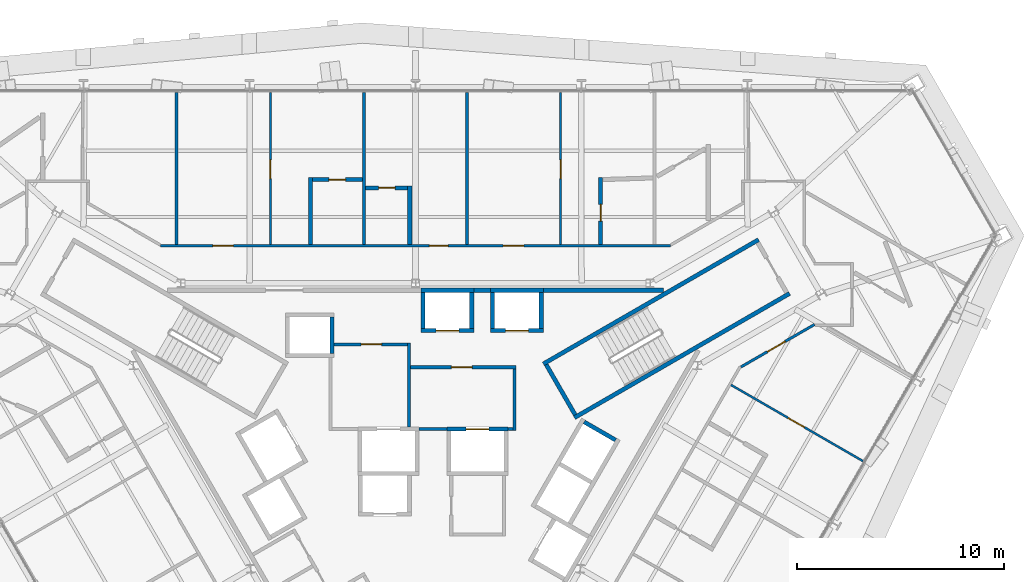
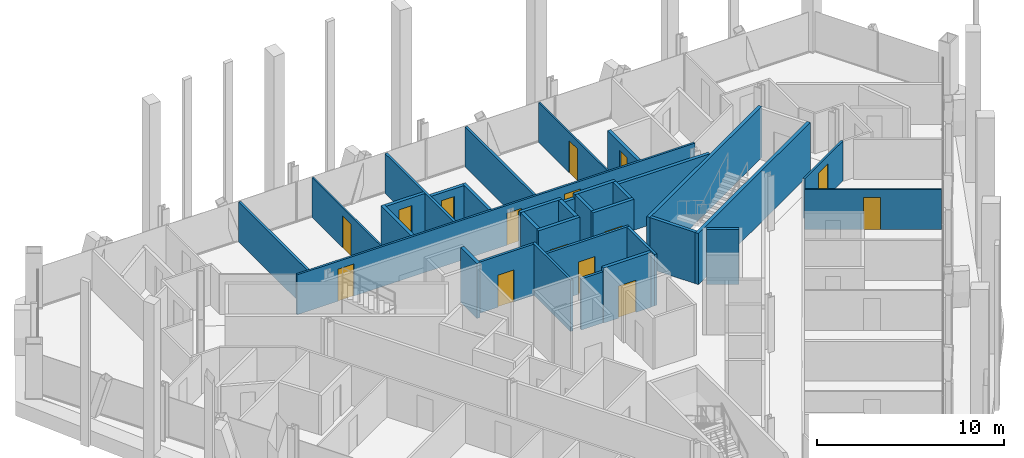
# One storey, part 13 of 16: 35 walls, 15 doors, 15 openings.
"""IFC4 building model written with IfcOpenShell, lengths in metres."""

from ifc_helpers import new_model, si_unit, direction, frame, frame_2d, origin, place, context, subcontext, project, spatial, rectangle, extrude, material, layer, layer_set, type_object, element, fill, save


model = new_model("IFC4")

# Units and contexts
model_context = context("Model", 3, precision=1e-05, world=origin(), true_north=direction((0.0, 1.0)))
body_context = subcontext(model_context, "Body", "Model", "MODEL_VIEW")
ifc_project = project(units=[si_unit("LENGTHUNIT", "METRE"), si_unit("AREAUNIT", "SQUARE_METRE"), si_unit("VOLUMEUNIT", "CUBIC_METRE"), si_unit("PLANEANGLEUNIT", "RADIAN"), si_unit("MASSUNIT", "GRAM", prefix="KILO")], contexts=[model_context])

# Site, building, storey
site_placement = place(None, origin())
site = spatial("IfcSite", under=ifc_project, at=site_placement, CompositionType="ELEMENT")
building_placement = place(site_placement, origin())
building = spatial("IfcBuilding", under=site, at=building_placement, Name="Verrane Prism Tower", CompositionType="ELEMENT")
storey_placement = place(building_placement, frame((0.0, 0.0, 103.60009765625)))
storey = spatial("IfcBuildingStorey", under=building, at=storey_placement, Name="L24", CompositionType="ELEMENT", Elevation=103.60009765625)

# Walls
ifc_material_1 = material(Name="Gypsum board partition", Category="other")
ifc_layer_1 = layer(ifc_material_1, 0.199951171875)
ifc_layer_set_1 = layer_set([ifc_layer_1], Name="CW-200 core boundary wall 2 h")
wall_type_1 = type_object("IfcWallType", Name="CW-200 core boundary wall 2 h", PredefinedType="PARTITIONING", material=ifc_layer_set_1)
wall_1_placement = place(storey_placement, frame((2.81689453125, 8.860107421875, 0.0), z_axis=(0.0, 0.0, 1.0), x_axis=(1.0, 0.0, 0.0)))
element("IfcWall", 1, at=wall_1_placement, inside=storey, type_object=wall_type_1, Name="Core boundary wall CW3-004", PredefinedType="PARTITIONING", context=body_context, shape_type="SweptSolid", body=[
    extrude(rectangle(XDim=0.80615234375, YDim=0.199951171875, at=frame_2d((0.403076171875, 0.0))), origin(), (0.0, 0.0, 1.0), 3.349853515625),
])
wall_2_placement = place(storey_placement, frame((6.177001953125, 8.860107421875, 0.0), z_axis=(0.0, 0.0, 1.0), x_axis=(1.0, 0.0, 0.0)))
element("IfcWall", 2, at=wall_2_placement, inside=storey, type_object=wall_type_1, Name="Core boundary wall CW3-006", PredefinedType="PARTITIONING", context=body_context, shape_type="SweptSolid", body=[
    extrude(rectangle(XDim=5.81396484375, YDim=0.199951171875, at=frame_2d((2.906982421875, 0.0))), origin(), (0.0, 0.0, 1.0), 3.349853515625),
])
ifc_material_2 = material(Name="Concrete C40/50", Category="concrete")
ifc_layer_2 = layer(ifc_material_2, 0.199951171875)
ifc_layer_set_2 = layer_set([ifc_layer_2], Name="CW-200 stair core wall concrete C40/50 3 h")
wall_type_2 = type_object("IfcWallType", Name="CW-200 stair core wall concrete C40/50 3 h", PredefinedType="PARTITIONING", material=ifc_layer_set_2)
for number, where, z_axis, x_axis, name in (
    (3, (6.17822265625, 5.299072265625, 0.0), (0.0, 0.0, 1.0), (0.866026010844, 0.49999894854, 0.0), "Stair 1 enclosure wall"),
    (4, (7.67822265625, 2.700927734375, 0.0), (0.0, 0.0, 1.0), (0.866026010844, 0.49999894854, 0.0), "Stair 1 enclosure wall"),
):
    element("IfcWall", number, at=place(storey_placement, frame(where, z_axis=z_axis, x_axis=x_axis)), inside=storey, type_object=wall_type_2, Name=name, PredefinedType="PARTITIONING", context=body_context, shape_type="SweptSolid", body=[
        extrude(rectangle(XDim=12.0, YDim=0.199951171875, at=frame_2d((6.0, 0.0))), origin(), (0.0, 0.0, 1.0), 3.349853515625),
    ])
wall_3_placement = place(storey_placement, frame((7.71484375, 2.837646484375, 0.0), z_axis=(0.0, 0.0, 1.0), x_axis=(-0.500049511043, 0.865996816683, 0.0)))
element("IfcWall", 5, at=wall_3_placement, inside=storey, type_object=wall_type_2, Name="Stair 1 enclosure wall", PredefinedType="PARTITIONING", context=body_context, shape_type="SweptSolid", body=[
    extrude(rectangle(XDim=2.800048828125, YDim=0.199951171875, at=frame_2d((1.39990234375, 0.0))), origin(), (0.0, 0.0, 1.0), 3.349853515625),
])

# Wall, opening, door
ifc_material_3 = material(Name="Gypsum board shaft wall assembly", Category="other")
ifc_layer_3 = layer(ifc_material_3, 0.199951171875)
ifc_layer_set_3 = layer_set([ifc_layer_3], Name="HW-200 lift shaft wall 2 h")
wall_type_3 = type_object("IfcWallType", Name="HW-200 lift shaft wall 2 h", PredefinedType="PARTITIONING", material=ifc_layer_set_3)
wall_4_placement = place(storey_placement, frame((1.52490234375, 2.14990234375, 0.0), z_axis=(0.0, 0.0, 1.0), x_axis=(1.0, 0.0, 0.0)))
wall_4 = element("IfcWall", 6, at=wall_4_placement, inside=storey, type_object=wall_type_3, Name="Lift shaft wall", PredefinedType="PARTITIONING", context=body_context, shape_type="SweptSolid", body=[
    extrude(rectangle(XDim=2.9501953125, YDim=0.199951171875, at=frame_2d((1.47509765625, 0.0))), origin(), (0.0, 0.0, 1.0), 3.599853515625),
])
opening_1_placement = place(wall_4_placement, frame((0.925048828125, 0.0, 0.0)))
opening_1 = element("IfcOpeningElement", 7, at=opening_1_placement, cuts=wall_4, Name="Opening D24509", PredefinedType="OPENING", context=body_context, shape_type="SweptSolid", body=[
    extrude(rectangle(XDim=1.10009765625, YDim=2.10009765625, at=frame_2d((0.550048828125, 1.050048828125))), frame((0.0, 0.10986328125, 0.0), z_axis=(0.0, -1.0, 0.0), x_axis=(1.0, 0.0, 0.0)), (0.0, 0.0, 1.0), 0.219970703125),
])
ifc_material_4 = material(Name="Stainless steel sliding landing door", Category="steel")
door_type_1 = type_object("IfcDoorType", Name="LD-1100x2100 lift landing door FD90 sliding", OperationType="NOTDEFINED", PredefinedType="DOOR", material=ifc_material_4)
door_1_placement = place(opening_1_placement, origin())
door_1 = element("IfcDoor", 8, at=door_1_placement, inside=storey, type_object=door_type_1, Name="Fire service lift 2 landing door", OperationType="SLIDING_TO_RIGHT", OverallHeight=2.10009765625, OverallWidth=1.10009765625, PredefinedType="DOOR", context=body_context, shape_type="SweptSolid", body=[
    extrude(rectangle(XDim=1.10009765625, YDim=2.10009765625, at=frame_2d((0.550048828125, 1.050048828125))), frame((0.0, 0.02490234375, 0.0), z_axis=(0.0, -1.0, 0.0), x_axis=(1.0, 0.0, 0.0)), (0.0, 0.0, 1.0), 0.050048828125),
])
fill(opening_1, door_1)

wall_5_placement = place(storey_placement, frame((0.264892578125, 6.909912109375, 0.0), z_axis=(0.0, 0.0, 1.0), x_axis=(1.0, 0.0, 0.0)))
wall_5 = element("IfcWall", 9, at=wall_5_placement, inside=storey, type_object=wall_type_3, Name="Lift shaft wall", PredefinedType="PARTITIONING", context=body_context, shape_type="SweptSolid", body=[
    extrude(rectangle(XDim=2.550048828125, YDim=0.199951171875, at=frame_2d((1.27490234375, 0.0))), origin(), (0.0, 0.0, 1.0), 3.599853515625),
])
opening_2_placement = place(wall_5_placement, frame((0.72509765625, 0.0, 0.0)))
opening_2 = element("IfcOpeningElement", 10, at=opening_2_placement, cuts=wall_5, Name="Opening D24503", PredefinedType="OPENING", context=body_context, shape_type="SweptSolid", body=[
    extrude(rectangle(XDim=1.10009765625, YDim=2.10009765625, at=frame_2d((0.550048828125, 1.050048828125))), frame((0.0, 0.10986328125, 0.0), z_axis=(0.0, -1.0, 0.0), x_axis=(1.0, 0.0, 0.0)), (0.0, 0.0, 1.0), 0.219970703125),
])
door_2_placement = place(opening_2_placement, origin())
door_2 = element("IfcDoor", 11, at=door_2_placement, inside=storey, type_object=door_type_1, Name="Bank A lift 1 landing door", OperationType="SLIDING_TO_LEFT", OverallHeight=2.10009765625, OverallWidth=1.10009765625, PredefinedType="DOOR", context=body_context, shape_type="SweptSolid", body=[
    extrude(rectangle(XDim=1.10009765625, YDim=2.10009765625, at=frame_2d((0.550048828125, 1.050048828125))), frame((0.0, 0.02490234375, 0.0), z_axis=(0.0, -1.0, 0.0), x_axis=(1.0, 0.0, 0.0)), (0.0, 0.0, 1.0), 0.050048828125),
])
fill(opening_2, door_2)

wall_6_placement = place(storey_placement, frame((3.625, 6.909912109375, 0.0), z_axis=(0.0, 0.0, 1.0), x_axis=(1.0, 0.0, 0.0)))
wall_6 = element("IfcWall", 12, at=wall_6_placement, inside=storey, type_object=wall_type_3, Name="Lift shaft wall", PredefinedType="PARTITIONING", context=body_context, shape_type="SweptSolid", body=[
    extrude(rectangle(XDim=2.550048828125, YDim=0.199951171875, at=frame_2d((1.27490234375, 0.0))), origin(), (0.0, 0.0, 1.0), 3.599853515625),
])
opening_3_placement = place(wall_6_placement, frame((0.72509765625, 0.0, 0.0)))
opening_3 = element("IfcOpeningElement", 13, at=opening_3_placement, cuts=wall_6, Name="Opening D24505", PredefinedType="OPENING", context=body_context, shape_type="SweptSolid", body=[
    extrude(rectangle(XDim=1.10009765625, YDim=2.10009765625, at=frame_2d((0.550048828125, 1.050048828125))), frame((0.0, 0.10986328125, 0.0), z_axis=(0.0, -1.0, 0.0), x_axis=(1.0, 0.0, 0.0)), (0.0, 0.0, 1.0), 0.219970703125),
])
door_3_placement = place(opening_3_placement, origin())
door_3 = element("IfcDoor", 14, at=door_3_placement, inside=storey, type_object=door_type_1, Name="Bank A lift 3 landing door", OperationType="SLIDING_TO_LEFT", OverallHeight=2.10009765625, OverallWidth=1.10009765625, PredefinedType="DOOR", context=body_context, shape_type="SweptSolid", body=[
    extrude(rectangle(XDim=1.10009765625, YDim=2.10009765625, at=frame_2d((0.550048828125, 1.050048828125))), frame((0.0, 0.02490234375, 0.0), z_axis=(0.0, -1.0, 0.0), x_axis=(1.0, 0.0, 0.0)), (0.0, 0.0, 1.0), 0.050048828125),
])
fill(opening_3, door_3)

# Walls
for number, where, z_axis, x_axis, name in (
    (15, (0.264892578125, 8.860107421875, 0.0), (0.0, 0.0, 1.0), (1.0, 0.0, 0.0), "Lift shaft wall"),
    (16, (3.625, 8.860107421875, 0.0), (0.0, 0.0, 1.0), (1.0, 0.0, 0.0), "Lift shaft wall"),
):
    element("IfcWall", number, at=place(storey_placement, frame(where, z_axis=z_axis, x_axis=x_axis)), inside=storey, type_object=wall_type_3, Name=name, PredefinedType="PARTITIONING", context=body_context, shape_type="SweptSolid", body=[
        extrude(rectangle(XDim=2.550048828125, YDim=0.199951171875, at=frame_2d((1.27490234375, 0.0))), origin(), (0.0, 0.0, 1.0), 3.599853515625),
    ])
for number, where, z_axis, x_axis, name in (
    (17, (6.074951171875, 7.010009765625, 0.0), (0.0, 0.0, 1.0), (0.0, 1.0, 0.0), "Lift shaft wall"),
    (18, (3.72509765625, 7.010009765625, 0.0), (0.0, 0.0, 1.0), (0.0, 1.0, 0.0), "Lift shaft wall"),
    (19, (2.715087890625, 7.010009765625, 0.0), (0.0, 0.0, 1.0), (0.0, 1.0, 0.0), "Lift shaft wall"),
    (20, (0.364990234375, 7.010009765625, 0.0), (0.0, 0.0, 1.0), (0.0, 1.0, 0.0), "Lift shaft wall"),
    (21, (-4.034912109375, 5.81005859375, 0.0), (0.0, 0.0, 1.0), (0.0, 1.0, 0.0), "Lift shaft wall"),
):
    element("IfcWall", number, at=place(storey_placement, frame(where, z_axis=z_axis, x_axis=x_axis)), inside=storey, type_object=wall_type_3, Name=name, PredefinedType="PARTITIONING", context=body_context, shape_type="SweptSolid", body=[
        extrude(rectangle(XDim=1.75, YDim=0.199951171875, at=frame_2d((0.875, 0.0))), origin(), (0.0, 0.0, 1.0), 3.599853515625),
    ])
wall_7_placement = place(storey_placement, frame((9.66455078125, 1.61962890625, 0.0), z_axis=(0.0, 0.0, 1.0), x_axis=(-0.866002029911, 0.500040482552, 0.0)))
element("IfcWall", 22, at=wall_7_placement, inside=storey, type_object=wall_type_3, Name="Lift shaft wall", PredefinedType="PARTITIONING", context=body_context, shape_type="SweptSolid", body=[
    extrude(rectangle(XDim=1.749755859375, YDim=0.199951171875, at=frame_2d((0.875, 0.0))), origin(), (0.0, 0.0, 1.0), 3.599853515625),
])

# Wall, opening, door
ifc_material_5 = material(Name="Gypsum board partition", Category="other")
ifc_layer_4 = layer(ifc_material_5, 0.14990234375)
ifc_layer_set_4 = layer_set([ifc_layer_4], Name="LF-150 firefighting lobby wall 1 h")
wall_type_4 = type_object("IfcWallType", Name="LF-150 firefighting lobby wall 1 h", PredefinedType="PARTITIONING", material=ifc_layer_set_4)
wall_8_placement = place(storey_placement, frame((-3.93310546875, 6.239990234375, 0.0), z_axis=(0.0, 0.0, 1.0), x_axis=(1.0, 0.0, 0.0)))
wall_8 = element("IfcWall", 23, at=wall_8_placement, inside=storey, type_object=wall_type_4, Name="Firefighting lobby wall LF1-003", PredefinedType="PARTITIONING", context=body_context, shape_type="SweptSolid", body=[
    extrude(rectangle(XDim=3.5380859375, YDim=0.14990234375, at=frame_2d((1.76904296875, 0.0))), origin(), (0.0, 0.0, 1.0), 3.349853515625),
])
opening_4_placement = place(wall_8_placement, frame((1.300048828125, 0.0, 0.0)))
opening_4 = element("IfcOpeningElement", 24, at=opening_4_placement, cuts=wall_8, Name="Opening D24515", PredefinedType="OPENING", context=body_context, shape_type="SweptSolid", body=[
    extrude(rectangle(XDim=1.0, YDim=2.10009765625, at=frame_2d((0.5, 1.050048828125))), frame((0.0, 0.0849609375, 0.0), z_axis=(0.0, -1.0, 0.0), x_axis=(1.0, 0.0, 0.0)), (0.0, 0.0, 1.0), 0.169921875),
])
ifc_material_6 = material(Name="Timber veneered door leaf", Category="wood")
door_type_2 = type_object("IfcDoorType", Name="DR-1000x2100 FD60 single leaf firefighting lobby", OperationType="NOTDEFINED", PredefinedType="DOOR", material=ifc_material_6)
door_4_placement = place(opening_4_placement, origin())
door_4 = element("IfcDoor", 25, at=door_4_placement, inside=storey, type_object=door_type_2, Name="Firefighting lobby door D24515", OperationType="SINGLE_SWING_LEFT", OverallHeight=2.10009765625, OverallWidth=1.0, PredefinedType="DOOR", context=body_context, shape_type="SweptSolid", body=[
    extrude(rectangle(XDim=1.0, YDim=2.10009765625, at=frame_2d((0.5, 1.050048828125))), frame((0.0, 0.02490234375, 0.0), z_axis=(0.0, -1.0, 0.0), x_axis=(1.0, 0.0, 0.0)), (0.0, 0.0, 1.0), 0.050048828125),
])
fill(opening_4, door_4)

# Wall
wall_9_placement = place(storey_placement, frame((-0.320068359375, 2.251953125, 0.0), z_axis=(0.0, 0.0, 1.0), x_axis=(0.0, 1.0, 0.0)))
element("IfcWall", 26, at=wall_9_placement, inside=storey, type_object=wall_type_4, Name="Firefighting lobby wall LF1-004", PredefinedType="PARTITIONING", context=body_context, shape_type="SweptSolid", body=[
    extrude(rectangle(XDim=4.06298828125, YDim=0.14990234375, at=frame_2d((2.031494140625, 0.0))), origin(), (0.0, 0.0, 1.0), 3.349853515625),
])

# Wall, opening, door
wall_10_placement = place(storey_placement, frame((-0.2451171875, 5.139892578125, 0.0), z_axis=(0.0, 0.0, 1.0), x_axis=(1.0, 0.0, 0.0)))
wall_10 = element("IfcWall", 27, at=wall_10_placement, inside=storey, type_object=wall_type_4, Name="Firefighting lobby wall LF1-005", PredefinedType="PARTITIONING", context=body_context, shape_type="SweptSolid", body=[
    extrude(rectangle(XDim=5.110107421875, YDim=0.14990234375, at=frame_2d((2.55517578125, 0.0))), origin(), (0.0, 0.0, 1.0), 3.349853515625),
])
opening_5_placement = place(wall_10_placement, frame((1.97509765625, 0.0, 0.0)))
opening_5 = element("IfcOpeningElement", 28, at=opening_5_placement, cuts=wall_10, Name="Opening D24516", PredefinedType="OPENING", context=body_context, shape_type="SweptSolid", body=[
    extrude(rectangle(XDim=1.0, YDim=2.10009765625, at=frame_2d((0.5, 1.050048828125))), frame((0.0, 0.0849609375, 0.0), z_axis=(0.0, -1.0, 0.0), x_axis=(1.0, 0.0, 0.0)), (0.0, 0.0, 1.0), 0.169921875),
])
door_5_placement = place(opening_5_placement, origin())
door_5 = element("IfcDoor", 29, at=door_5_placement, inside=storey, type_object=door_type_2, Name="Firefighting lobby door D24516", OperationType="SINGLE_SWING_RIGHT", OverallHeight=2.10009765625, OverallWidth=1.0, PredefinedType="DOOR", context=body_context, shape_type="SweptSolid", body=[
    extrude(rectangle(XDim=1.0, YDim=2.10009765625, at=frame_2d((0.5, 1.050048828125))), frame((0.0, 0.02490234375, 0.0), z_axis=(0.0, -1.0, 0.0), x_axis=(1.0, 0.0, 0.0)), (0.0, 0.0, 1.0), 0.050048828125),
])
fill(opening_5, door_5)

# Walls
wall_11_placement = place(storey_placement, frame((0.1669921875, 2.159912109375, 0.0), z_axis=(0.0, 0.0, 1.0), x_axis=(1.0, 0.0, 0.0)))
element("IfcWall", 30, at=wall_11_placement, inside=storey, type_object=wall_type_4, Name="Firefighting lobby wall LF1-006", PredefinedType="PARTITIONING", context=body_context, shape_type="SweptSolid", body=[
    extrude(rectangle(XDim=1.35595703125, YDim=0.14990234375, at=frame_2d((0.677978515625, 0.0))), origin(), (0.0, 0.0, 1.0), 3.349853515625),
])
wall_12_placement = place(storey_placement, frame((4.47705078125, 2.159912109375, 0.0), z_axis=(0.0, 0.0, 1.0), x_axis=(1.0, 0.0, 0.0)))
element("IfcWall", 31, at=wall_12_placement, inside=storey, type_object=wall_type_4, Name="Firefighting lobby wall LF1-007", PredefinedType="PARTITIONING", context=body_context, shape_type="SweptSolid", body=[
    extrude(rectangle(XDim=0.238037109375, YDim=0.14990234375, at=frame_2d((0.119140625, 0.0))), origin(), (0.0, 0.0, 1.0), 3.349853515625),
])
wall_13_placement = place(storey_placement, frame((4.7900390625, 2.0849609375, 0.0), z_axis=(0.0, 0.0, 1.0), x_axis=(0.0, 1.0, 0.0)))
element("IfcWall", 32, at=wall_13_placement, inside=storey, type_object=wall_type_4, Name="Firefighting lobby wall LF1-008", PredefinedType="PARTITIONING", context=body_context, shape_type="SweptSolid", body=[
    extrude(rectangle(XDim=2.97998046875, YDim=0.14990234375, at=frame_2d((1.489990234375, 0.0))), origin(), (0.0, 0.0, 1.0), 3.349853515625),
])

# Wall, opening, door
ifc_material_7 = material(Name="Gypsum board partition", Category="other")
ifc_layer_5 = layer(ifc_material_7, 0.10009765625)
ifc_layer_set_5 = layer_set([ifc_layer_5], Name="PW-100 room partition")
wall_type_5 = type_object("IfcWallType", Name="PW-100 room partition", PredefinedType="PARTITIONING", material=ifc_layer_set_5)
wall_14_placement = place(storey_placement, frame((-7.011962890625, 18.4150390625, 0.0), z_axis=(0.0, 0.0, 1.0), x_axis=(0.0, -1.0, 0.0)))
wall_14 = element("IfcWall", 33, at=wall_14_placement, inside=storey, type_object=wall_type_5, Name="Room partition 034", PredefinedType="PARTITIONING", context=body_context, shape_type="SweptSolid", body=[
    extrude(rectangle(XDim=7.3525390625, YDim=0.10009765625, at=frame_2d((3.67626953125, 0.0))), origin(), (0.0, 0.0, 1.0), 2.61279296875),
])
opening_6_placement = place(wall_14_placement, frame((3.264892578125, 0.0, 0.0)))
opening_6 = element("IfcOpeningElement", 34, at=opening_6_placement, cuts=wall_14, Name="Opening D24023", PredefinedType="OPENING", context=body_context, shape_type="SweptSolid", body=[
    extrude(rectangle(XDim=0.89990234375, YDim=2.10009765625, at=frame_2d((0.449951171875, 1.050048828125))), frame((0.0, 0.06005859375, 0.0), z_axis=(0.0, -1.0, 0.0), x_axis=(1.0, 0.0, 0.0)), (0.0, 0.0, 1.0), 0.1201171875),
])
ifc_material_8 = material(Name="Timber veneered door leaf", Category="wood")
door_type_3 = type_object("IfcDoorType", Name="DR-900x2100 single leaf inner", OperationType="NOTDEFINED", PredefinedType="DOOR", material=ifc_material_8)
door_6_placement = place(opening_6_placement, origin())
door_6 = element("IfcDoor", 35, at=door_6_placement, inside=storey, type_object=door_type_3, Name="Suite Living Room door", OperationType="SINGLE_SWING_RIGHT", OverallHeight=2.10009765625, OverallWidth=0.89990234375, PredefinedType="DOOR", context=body_context, shape_type="SweptSolid", body=[
    extrude(rectangle(XDim=0.89990234375, YDim=2.10009765625, at=frame_2d((0.449951171875, 1.050048828125))), frame((0.0, 0.02490234375, 0.0), z_axis=(0.0, -1.0, 0.0), x_axis=(1.0, 0.0, 0.0)), (0.0, 0.0, 1.0), 0.050048828125),
])
fill(opening_6, door_6)

wall_15_placement = place(storey_placement, frame((7.011962890625, 18.4150390625, 0.0), z_axis=(0.0, 0.0, 1.0), x_axis=(0.0, -1.0, 0.0)))
wall_15 = element("IfcWall", 36, at=wall_15_placement, inside=storey, type_object=wall_type_5, Name="Room partition 055", PredefinedType="PARTITIONING", context=body_context, shape_type="SweptSolid", body=[
    extrude(rectangle(XDim=7.3525390625, YDim=0.10009765625, at=frame_2d((3.67626953125, 0.0))), origin(), (0.0, 0.0, 1.0), 2.61279296875),
])
opening_7_placement = place(wall_15_placement, frame((3.264892578125, 0.0, 0.0)))
opening_7 = element("IfcOpeningElement", 37, at=opening_7_placement, cuts=wall_15, Name="Opening D24018", PredefinedType="OPENING", context=body_context, shape_type="SweptSolid", body=[
    extrude(rectangle(XDim=0.89990234375, YDim=2.10009765625, at=frame_2d((0.449951171875, 1.050048828125))), frame((0.0, 0.06005859375, 0.0), z_axis=(0.0, -1.0, 0.0), x_axis=(1.0, 0.0, 0.0)), (0.0, 0.0, 1.0), 0.1201171875),
])
door_7_placement = place(opening_7_placement, origin())
door_7 = element("IfcDoor", 38, at=door_7_placement, inside=storey, type_object=door_type_3, Name="Suite Living Room door", OperationType="SINGLE_SWING_LEFT", OverallHeight=2.10009765625, OverallWidth=0.89990234375, PredefinedType="DOOR", context=body_context, shape_type="SweptSolid", body=[
    extrude(rectangle(XDim=0.89990234375, YDim=2.10009765625, at=frame_2d((0.449951171875, 1.050048828125))), frame((0.0, 0.02490234375, 0.0), z_axis=(0.0, -1.0, 0.0), x_axis=(1.0, 0.0, 0.0)), (0.0, 0.0, 1.0), 0.050048828125),
])
fill(opening_7, door_7)

wall_16_placement = place(storey_placement, frame((21.613037109375, 0.604736328125, 0.0), z_axis=(0.0, 0.0, 1.0), x_axis=(-0.866021344046, 0.500007031608, 0.0)))
wall_16 = element("IfcWall", 39, at=wall_16_placement, inside=storey, type_object=wall_type_5, Name="Room partition 068", PredefinedType="PARTITIONING", context=body_context, shape_type="SweptSolid", body=[
    extrude(rectangle(XDim=7.35205078125, YDim=0.10009765625, at=frame_2d((3.676025390625, 0.0))), origin(), (0.0, 0.0, 1.0), 2.61279296875),
])
opening_8_placement = place(wall_16_placement, frame((3.264404296875, 0.0, 0.0)))
opening_8 = element("IfcOpeningElement", 40, at=opening_8_placement, cuts=wall_16, Name="Opening D24010", PredefinedType="OPENING", context=body_context, shape_type="SweptSolid", body=[
    extrude(rectangle(XDim=0.89990234375, YDim=2.10009765625, at=frame_2d((0.449951171875, 1.050048828125))), frame((0.0, 0.06005859375, 0.0), z_axis=(0.0, -1.0, 0.0), x_axis=(1.0, 0.0, 0.0)), (0.0, 0.0, 1.0), 0.1201171875),
])
door_8_placement = place(opening_8_placement, origin())
door_8 = element("IfcDoor", 41, at=door_8_placement, inside=storey, type_object=door_type_3, Name="Suite Living Room door", OperationType="SINGLE_SWING_LEFT", OverallHeight=2.10009765625, OverallWidth=0.89990234375, PredefinedType="DOOR", context=body_context, shape_type="SweptSolid", body=[
    extrude(rectangle(XDim=0.89990234375, YDim=2.10009765625, at=frame_2d((0.449951171875, 1.050048828125))), frame((0.0, 0.02490234375, 0.0), z_axis=(0.0, -1.0, 0.0), x_axis=(1.0, 0.0, 0.0)), (0.0, 0.0, 1.0), 0.050048828125),
])
fill(opening_8, door_8)

# Wall, openings, doors
ifc_material_9 = material(Name="Gypsum board partition", Category="other")
ifc_layer_6 = layer(ifc_material_9, 0.125)
ifc_layer_set_6 = layer_set([ifc_layer_6], Name="PW-125 corridor wall 1 h")
wall_type_6 = type_object("IfcWallType", Name="PW-125 corridor wall 1 h", PredefinedType="PARTITIONING", material=ifc_layer_set_6)
wall_17_placement = place(storey_placement, frame((-12.3154296875, 11.0, 0.0), z_axis=(0.0, 0.0, 1.0), x_axis=(1.0, 0.0, 0.0)))
wall_17 = element("IfcWall", 42, at=wall_17_placement, inside=storey, type_object=wall_type_6, Name="Corridor wall 025", PredefinedType="PARTITIONING", context=body_context, shape_type="SweptSolid", body=[
    extrude(rectangle(XDim=24.630859375, YDim=0.125, at=frame_2d((12.3154296875, 0.0))), origin(), (0.0, 0.0, 1.0), 2.61279296875),
])
opening_9_placement = place(wall_17_placement, frame((16.54541015625, 0.0, 0.0)))
opening_9 = element("IfcOpeningElement", 43, at=opening_9_placement, cuts=wall_17, Name="Opening D24017", PredefinedType="OPENING", context=body_context, shape_type="SweptSolid", body=[
    extrude(rectangle(XDim=1.0, YDim=2.10009765625, at=frame_2d((0.5, 1.050048828125))), frame((0.0, 0.072509765625, 0.0), z_axis=(0.0, -1.0, 0.0), x_axis=(1.0, 0.0, 0.0)), (0.0, 0.0, 1.0), 0.14501953125),
])
opening_10_placement = place(wall_17_placement, frame((12.985595703125, 0.0, 0.0)))
opening_10 = element("IfcOpeningElement", 44, at=opening_10_placement, cuts=wall_17, Name="Opening D24020", PredefinedType="OPENING", context=body_context, shape_type="SweptSolid", body=[
    extrude(rectangle(XDim=0.89990234375, YDim=2.10009765625, at=frame_2d((0.449951171875, 1.050048828125))), frame((0.0, 0.072509765625, 0.0), z_axis=(0.0, -1.0, 0.0), x_axis=(1.0, 0.0, 0.0)), (0.0, 0.0, 1.0), 0.14501953125),
])
opening_11_placement = place(wall_17_placement, frame((2.521484375, 0.0, 0.0)))
opening_11 = element("IfcOpeningElement", 45, at=opening_11_placement, cuts=wall_17, Name="Opening D24022", PredefinedType="OPENING", context=body_context, shape_type="SweptSolid", body=[
    extrude(rectangle(XDim=1.0, YDim=2.10009765625, at=frame_2d((0.5, 1.050048828125))), frame((0.0, 0.072509765625, 0.0), z_axis=(0.0, -1.0, 0.0), x_axis=(1.0, 0.0, 0.0)), (0.0, 0.0, 1.0), 0.14501953125),
])
ifc_material_10 = material(Name="Timber veneered door leaf", Category="wood")
door_type_4 = type_object("IfcDoorType", Name="DR-1000x2100 FD20 single leaf unit", OperationType="NOTDEFINED", PredefinedType="DOOR", material=ifc_material_10)
door_9_placement = place(opening_9_placement, origin())
door_9 = element("IfcDoor", 46, at=door_9_placement, inside=storey, type_object=door_type_4, Name="Suite Living Room door", OperationType="SINGLE_SWING_LEFT", OverallHeight=2.10009765625, OverallWidth=1.0, PredefinedType="DOOR", context=body_context, shape_type="SweptSolid", body=[
    extrude(rectangle(XDim=1.0, YDim=2.10009765625, at=frame_2d((0.5, 1.050048828125))), frame((0.0, 0.02490234375, 0.0), z_axis=(0.0, -1.0, 0.0), x_axis=(1.0, 0.0, 0.0)), (0.0, 0.0, 1.0), 0.050048828125),
])
fill(opening_9, door_9)
door_10_placement = place(opening_11_placement, origin())
door_10 = element("IfcDoor", 47, at=door_10_placement, inside=storey, type_object=door_type_4, Name="Suite Living Room door", OperationType="SINGLE_SWING_RIGHT", OverallHeight=2.10009765625, OverallWidth=1.0, PredefinedType="DOOR", context=body_context, shape_type="SweptSolid", body=[
    extrude(rectangle(XDim=1.0, YDim=2.10009765625, at=frame_2d((0.5, 1.050048828125))), frame((0.0, 0.02490234375, 0.0), z_axis=(0.0, -1.0, 0.0), x_axis=(1.0, 0.0, 0.0)), (0.0, 0.0, 1.0), 0.050048828125),
])
fill(opening_11, door_10)
ifc_material_11 = material(Name="Timber veneered door leaf", Category="wood")
door_type_5 = type_object("IfcDoorType", Name="DR-900x2100 FD20 single leaf unit", OperationType="NOTDEFINED", PredefinedType="DOOR", material=ifc_material_11)
door_11_placement = place(opening_10_placement, origin())
door_11 = element("IfcDoor", 48, at=door_11_placement, inside=storey, type_object=door_type_5, Name="Guest Room door", OperationType="SINGLE_SWING_RIGHT", OverallHeight=2.10009765625, OverallWidth=0.89990234375, PredefinedType="DOOR", context=body_context, shape_type="SweptSolid", body=[
    extrude(rectangle(XDim=0.89990234375, YDim=2.10009765625, at=frame_2d((0.449951171875, 1.050048828125))), frame((0.0, 0.02490234375, 0.0), z_axis=(0.0, -1.0, 0.0), x_axis=(1.0, 0.0, 0.0)), (0.0, 0.0, 1.0), 0.050048828125),
])
fill(opening_10, door_11)

# Wall, opening, door
wall_18_placement = place(storey_placement, frame((19.278076171875, 7.204345703125, 0.0), z_axis=(0.0, 0.0, 1.0), x_axis=(-0.865992261418, -0.50005739987, 0.0)))
wall_18 = element("IfcWall", 49, at=wall_18_placement, inside=storey, type_object=wall_type_6, Name="Corridor wall 070", PredefinedType="PARTITIONING", context=body_context, shape_type="SweptSolid", body=[
    extrude(rectangle(XDim=4.10107421875, YDim=0.125, at=frame_2d((2.050537109375, 0.0))), origin(), (0.0, 0.0, 1.0), 2.61279296875),
])
opening_12_placement = place(wall_18_placement, frame((1.635986328125, 0.0, 0.0)))
opening_12 = element("IfcOpeningElement", 50, at=opening_12_placement, cuts=wall_18, Name="Opening D24009", PredefinedType="OPENING", context=body_context, shape_type="SweptSolid", body=[
    extrude(rectangle(XDim=1.0, YDim=2.10009765625, at=frame_2d((0.5, 1.050048828125))), frame((0.0, 0.072509765625, 0.0), z_axis=(0.0, -1.0, 0.0), x_axis=(1.0, 0.0, 0.0)), (0.0, 0.0, 1.0), 0.14501953125),
])
door_12_placement = place(opening_12_placement, origin())
door_12 = element("IfcDoor", 51, at=door_12_placement, inside=storey, type_object=door_type_4, Name="Suite Living Room door", OperationType="SINGLE_SWING_RIGHT", OverallHeight=2.10009765625, OverallWidth=1.0, PredefinedType="DOOR", context=body_context, shape_type="SweptSolid", body=[
    extrude(rectangle(XDim=1.0, YDim=2.10009765625, at=frame_2d((0.5, 1.050048828125))), frame((0.0, 0.02490234375, 0.0), z_axis=(0.0, -1.0, 0.0), x_axis=(1.0, 0.0, 0.0)), (0.0, 0.0, 1.0), 0.050048828125),
])
fill(opening_12, door_12)

# Walls
ifc_material_12 = material(Name="Gypsum board partition", Category="other")
ifc_layer_7 = layer(ifc_material_12, 0.14990234375)
ifc_layer_set_7 = layer_set([ifc_layer_7], Name="PW-150 demising wall 1 h")
wall_type_7 = type_object("IfcWallType", Name="PW-150 demising wall 1 h", PredefinedType="PARTITIONING", material=ifc_layer_set_7)
for number, where, z_axis, x_axis, name in (
    (52, (-11.5439453125, 11.0625, 0.0), (0.0, 0.0, 1.0), (0.0, 1.0, 0.0), "Demising wall 027"),
    (53, (-2.47998046875, 11.0625, 0.0), (0.0, 0.0, 1.0), (0.0, 1.0, 0.0), "Demising wall 039"),
    (54, (2.47998046875, 11.0625, 0.0), (0.0, 0.0, 1.0), (0.0, 1.0, 0.0), "Demising wall 044"),
):
    element("IfcWall", number, at=place(storey_placement, frame(where, z_axis=z_axis, x_axis=x_axis)), inside=storey, type_object=wall_type_7, Name=name, PredefinedType="PARTITIONING", context=body_context, shape_type="SweptSolid", body=[
        extrude(rectangle(XDim=7.3525390625, YDim=0.14990234375, at=frame_2d((3.67626953125, 0.0))), origin(), (0.0, 0.0, 1.0), 2.61279296875),
    ])
ifc_material_13 = material(Name="Gypsum board partition", Category="other")
ifc_layer_8 = layer(ifc_material_13, 0.199951171875)
ifc_layer_set_8 = layer_set([ifc_layer_8], Name="PW-200 plumbing wall")
wall_type_8 = type_object("IfcWallType", Name="PW-200 plumbing wall", PredefinedType="PARTITIONING", material=ifc_layer_set_8)
wall_19_placement = place(storey_placement, frame((-5.080078125, 11.0625, 0.0), z_axis=(0.0, 0.0, 1.0), x_axis=(0.0, 1.0, 0.0)))
element("IfcWall", 55, at=wall_19_placement, inside=storey, type_object=wall_type_8, Name="Plumbing wall 035", PredefinedType="PARTITIONING", context=body_context, shape_type="SweptSolid", body=[
    extrude(rectangle(XDim=3.237548828125, YDim=0.199951171875, at=frame_2d((1.61865234375, 0.0))), origin(), (0.0, 0.0, 1.0), 2.61279296875),
])

# Wall, opening, door
wall_20_placement = place(storey_placement, frame((-2.554931640625, 14.199951171875, 0.0), z_axis=(0.0, 0.0, 1.0), x_axis=(-1.0, 0.0, 0.0)))
wall_20 = element("IfcWall", 56, at=wall_20_placement, inside=storey, type_object=wall_type_8, Name="Plumbing wall 036", PredefinedType="PARTITIONING", context=body_context, shape_type="SweptSolid", body=[
    extrude(rectangle(XDim=2.425048828125, YDim=0.199951171875, at=frame_2d((1.21240234375, 0.0))), origin(), (0.0, 0.0, 1.0), 2.61279296875),
])
opening_13_placement = place(wall_20_placement, frame((0.824951171875, 0.0, 0.0)))
opening_13 = element("IfcOpeningElement", 57, at=opening_13_placement, cuts=wall_20, Name="Opening D24024", PredefinedType="OPENING", context=body_context, shape_type="SweptSolid", body=[
    extrude(rectangle(XDim=0.800048828125, YDim=2.10009765625, at=frame_2d((0.39990234375, 1.050048828125))), frame((0.0, 0.10986328125, 0.0), z_axis=(0.0, -1.0, 0.0), x_axis=(1.0, 0.0, 0.0)), (0.0, 0.0, 1.0), 0.219970703125),
])
ifc_material_14 = material(Name="Timber veneered door leaf", Category="wood")
door_type_6 = type_object("IfcDoorType", Name="DR-800x2100 single leaf bath", OperationType="NOTDEFINED", PredefinedType="DOOR", material=ifc_material_14)
door_13_placement = place(opening_13_placement, origin())
door_13 = element("IfcDoor", 58, at=door_13_placement, inside=storey, type_object=door_type_6, Name="En-Suite door", OperationType="SINGLE_SWING_LEFT", OverallHeight=2.10009765625, OverallWidth=0.800048828125, PredefinedType="DOOR", context=body_context, shape_type="SweptSolid", body=[
    extrude(rectangle(XDim=0.800048828125, YDim=2.10009765625, at=frame_2d((0.39990234375, 1.050048828125))), frame((0.0, 0.02490234375, 0.0), z_axis=(0.0, -1.0, 0.0), x_axis=(1.0, 0.0, 0.0)), (0.0, 0.0, 1.0), 0.050048828125),
])
fill(opening_13, door_13)

wall_21_placement = place(storey_placement, frame((-0.3798828125, 13.800048828125, 0.0), z_axis=(0.0, 0.0, 1.0), x_axis=(-1.0, 0.0, 0.0)))
wall_21 = element("IfcWall", 59, at=wall_21_placement, inside=storey, type_object=wall_type_8, Name="Plumbing wall 040", PredefinedType="PARTITIONING", context=body_context, shape_type="SweptSolid", body=[
    extrude(rectangle(XDim=2.025146484375, YDim=0.199951171875, at=frame_2d((1.0126953125, 0.0))), origin(), (0.0, 0.0, 1.0), 2.61279296875),
])
opening_14_placement = place(wall_21_placement, frame((0.60009765625, 0.0, 0.0)))
opening_14 = element("IfcOpeningElement", 60, at=opening_14_placement, cuts=wall_21, Name="Opening D24021", PredefinedType="OPENING", context=body_context, shape_type="SweptSolid", body=[
    extrude(rectangle(XDim=0.800048828125, YDim=2.10009765625, at=frame_2d((0.39990234375, 1.050048828125))), frame((0.0, 0.10986328125, 0.0), z_axis=(0.0, -1.0, 0.0), x_axis=(1.0, 0.0, 0.0)), (0.0, 0.0, 1.0), 0.219970703125),
])
door_14_placement = place(opening_14_placement, origin())
door_14 = element("IfcDoor", 61, at=door_14_placement, inside=storey, type_object=door_type_6, Name="En-Suite door", OperationType="SINGLE_SWING_RIGHT", OverallHeight=2.10009765625, OverallWidth=0.800048828125, PredefinedType="DOOR", context=body_context, shape_type="SweptSolid", body=[
    extrude(rectangle(XDim=0.800048828125, YDim=2.10009765625, at=frame_2d((0.39990234375, 1.050048828125))), frame((0.0, 0.02490234375, 0.0), z_axis=(0.0, -1.0, 0.0), x_axis=(1.0, 0.0, 0.0)), (0.0, 0.0, 1.0), 0.050048828125),
])
fill(opening_14, door_14)

# Wall
wall_22_placement = place(storey_placement, frame((-0.280029296875, 11.0625, 0.0), z_axis=(0.0, 0.0, 1.0), x_axis=(0.0, 1.0, 0.0)))
element("IfcWall", 62, at=wall_22_placement, inside=storey, type_object=wall_type_8, Name="Plumbing wall 041", PredefinedType="PARTITIONING", context=body_context, shape_type="SweptSolid", body=[
    extrude(rectangle(XDim=2.83740234375, YDim=0.199951171875, at=frame_2d((1.418701171875, 0.0))), origin(), (0.0, 0.0, 1.0), 2.61279296875),
])

# Wall, opening, door
wall_23_placement = place(storey_placement, frame((8.944091796875, 14.300048828125, 0.0), z_axis=(0.0, 0.0, 1.0), x_axis=(0.0, -1.0, 0.0)))
wall_23 = element("IfcWall", 63, at=wall_23_placement, inside=storey, type_object=wall_type_8, Name="Plumbing wall 057", PredefinedType="PARTITIONING", context=body_context, shape_type="SweptSolid", body=[
    extrude(rectangle(XDim=3.237548828125, YDim=0.199951171875, at=frame_2d((1.61865234375, 0.0))), origin(), (0.0, 0.0, 1.0), 2.61279296875),
])
opening_15_placement = place(wall_23_placement, frame((1.300048828125, 0.0, 0.0)))
opening_15 = element("IfcOpeningElement", 64, at=opening_15_placement, cuts=wall_23, Name="Opening D24019", PredefinedType="OPENING", context=body_context, shape_type="SweptSolid", body=[
    extrude(rectangle(XDim=0.800048828125, YDim=2.10009765625, at=frame_2d((0.39990234375, 1.050048828125))), frame((0.0, 0.10986328125, 0.0), z_axis=(0.0, -1.0, 0.0), x_axis=(1.0, 0.0, 0.0)), (0.0, 0.0, 1.0), 0.219970703125),
])
door_15_placement = place(opening_15_placement, origin())
door_15 = element("IfcDoor", 65, at=door_15_placement, inside=storey, type_object=door_type_6, Name="En-Suite door", OperationType="SINGLE_SWING_RIGHT", OverallHeight=2.10009765625, OverallWidth=0.800048828125, PredefinedType="DOOR", context=body_context, shape_type="SweptSolid", body=[
    extrude(rectangle(XDim=0.800048828125, YDim=2.10009765625, at=frame_2d((0.39990234375, 1.050048828125))), frame((0.0, 0.02490234375, 0.0), z_axis=(0.0, -1.0, 0.0), x_axis=(1.0, 0.0, 0.0)), (0.0, 0.0, 1.0), 0.050048828125),
])
fill(opening_15, door_15)

save(model, "model.ifc")
